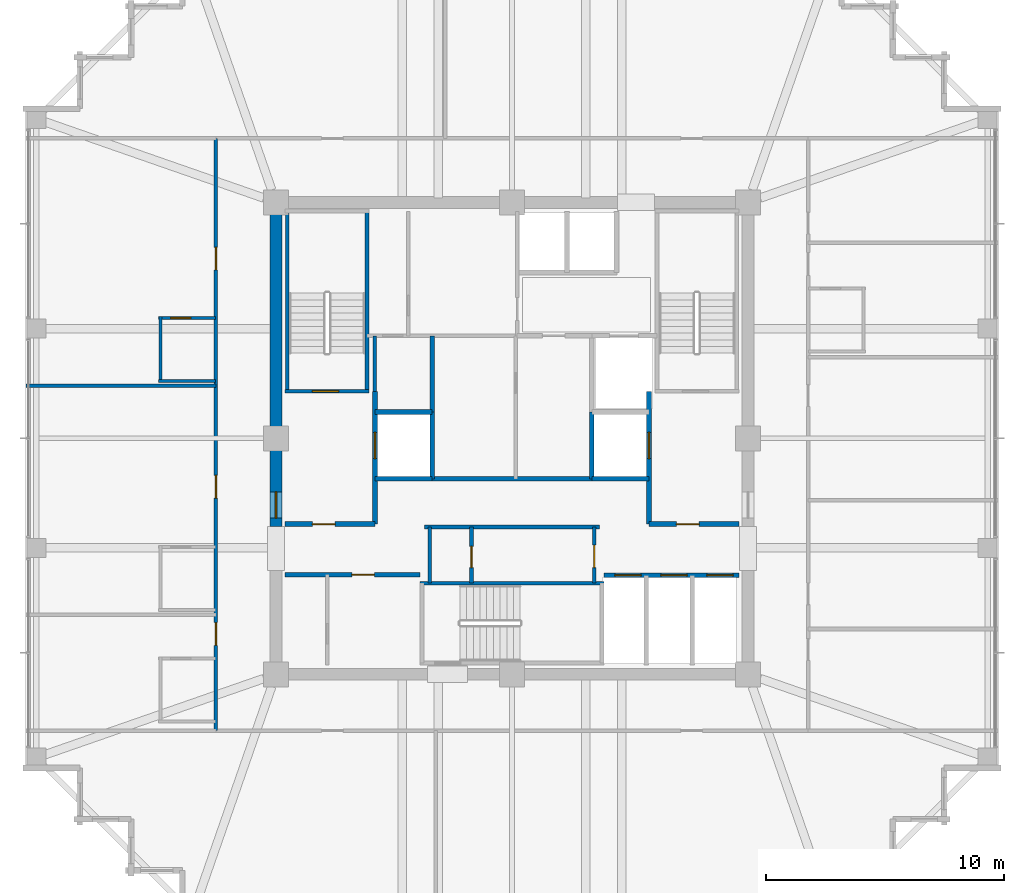
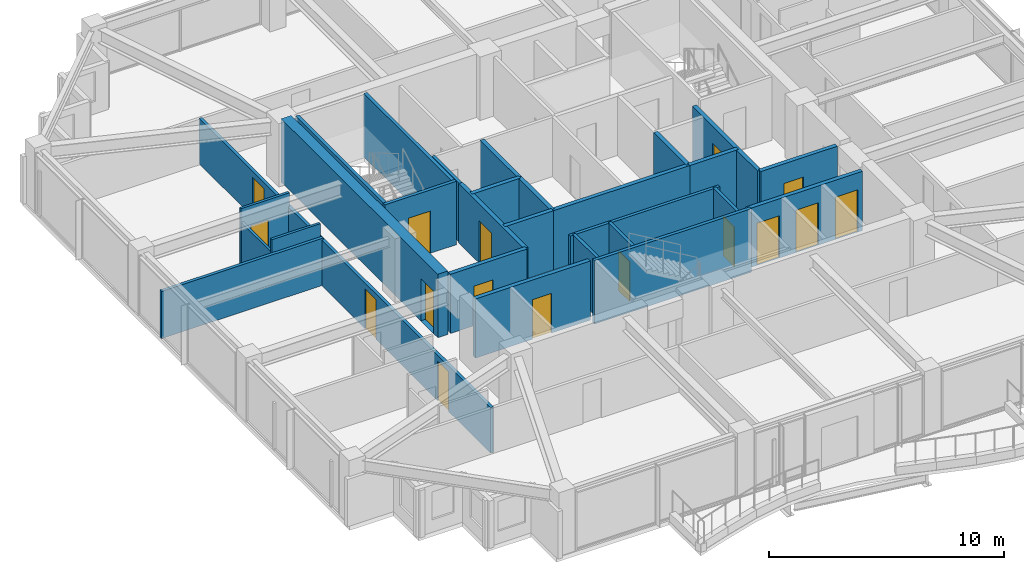
# One storey, part 31 of 36: 28 walls, 16 doors, 16 openings.
"""IFC4 building model written with IfcOpenShell, lengths in metres."""

import ifcopenshell
import ifcopenshell.guid

model = None  # the IFC model being written
_history = None  # IfcOwnerHistory: only IFC2X3 demands one
_inside = {}  # id of a spatial element -> (the spatial element, [elements in it])
_under = {}  # id of a project, library or spatial element -> (it, [spatial elements below it])
_declared = {}  # id of a project -> (the project, [libraries it declares])
_typed = {}  # id of a type object -> (the type object, [elements of that type])
_made_of = {}  # id of a material, layer set ... -> (it, [elements and type objects made of it])


def new_model(schema):
    """Start an empty IFC model of exactly this schema.

    Asked for "IFC4X3", IfcOpenShell would pick the latest addendum, in which some entities
    have other attributes; the version numbers below select the first issue.
    IFC2X3 requires an IfcOwnerHistory on every rooted entity: one is made here for all.
    """
    global model, _history
    if schema == "IFC4X3":
        model = ifcopenshell.file(schema_version=(4, 3, 0, 0))
    else:
        model = ifcopenshell.file(schema=schema)
    _inside.clear()
    _under.clear()
    _declared.clear()
    _typed.clear()
    _made_of.clear()
    _history = None
    if model.schema == "IFC2X3":
        org = make("IfcOrganization", Name="unknown")
        user = make(
            "IfcPersonAndOrganization",
            ThePerson=make("IfcPerson", FamilyName="unknown"),
            TheOrganization=org,
        )
        app = make(
            "IfcApplication",
            ApplicationDeveloper=org,
            Version="unknown",
            ApplicationFullName="unknown",
            ApplicationIdentifier="unknown",
        )
        _history = make(
            "IfcOwnerHistory",
            OwningUser=user,
            OwningApplication=app,
            ChangeAction="ADDED",
            CreationDate=0,
        )
    return model


def make(cls, **values):
    """One entity of the class cls with the attributes given. An attribute that is None is left unset."""
    return model.create_entity(
        cls, **{name: value for name, value in values.items() if value is not None}
    )


def rooted(cls, **values):
    """An entity with a GlobalId (a new one), such as an element, a storey or a relation."""
    return make(cls, GlobalId=ifcopenshell.guid.new(), OwnerHistory=_history, **values)


def si_unit(unit_type, name, prefix=None):
    """IfcSIUnit, for example si_unit("LENGTHUNIT", "METRE", prefix="MILLI")."""
    return make("IfcSIUnit", UnitType=unit_type, Prefix=prefix, Name=name)


def assignment(units):
    """IfcUnitAssignment: the units of a project."""
    return None if units is None else make("IfcUnitAssignment", Units=units)


def point(xyz):
    """IfcCartesianPoint."""
    return None if xyz is None else make("IfcCartesianPoint", Coordinates=xyz)


def direction(xyz):
    """IfcDirection."""
    return None if xyz is None else make("IfcDirection", DirectionRatios=xyz)


def frame(location, z_axis=None, x_axis=None):
    """IfcAxis2Placement3D, a coordinate frame: its origin and axes. An axis left out is left unset."""
    return make(
        "IfcAxis2Placement3D",
        Location=point(location),
        Axis=direction(z_axis),
        RefDirection=direction(x_axis),
    )


def frame_2d(location, x_axis=None):
    """IfcAxis2Placement2D, a coordinate frame in the plane: its origin and x axis."""
    return make(
        "IfcAxis2Placement2D", Location=point(location), RefDirection=direction(x_axis)
    )


def origin():
    """The frame at (0, 0, 0) with its axes left unset."""
    return frame((0.0, 0.0, 0.0))


def place(relative_to, where):
    """IfcLocalPlacement: puts the frame where relative to a parent placement (None: the world)."""
    return make(
        "IfcLocalPlacement", PlacementRelTo=relative_to, RelativePlacement=where
    )


def context(
    kind, dimensions, precision=None, world=None, true_north=None, identifier=None
):
    """IfcGeometricRepresentationContext, for example the 3D "Model" context."""
    return make(
        "IfcGeometricRepresentationContext",
        ContextIdentifier=identifier,
        ContextType=kind,
        CoordinateSpaceDimension=dimensions,
        Precision=precision,
        WorldCoordinateSystem=world,
        TrueNorth=true_north,
    )


def subcontext(parent, identifier, kind, view, scale=None):
    """IfcGeometricRepresentationSubContext, for example "Body" below "Model"."""
    return make(
        "IfcGeometricRepresentationSubContext",
        ContextIdentifier=identifier,
        ContextType=kind,
        ParentContext=parent,
        TargetScale=scale,
        TargetView=view,
    )


def project(units=None, contexts=None):
    """IfcProject with its units and contexts."""
    return rooted(
        "IfcProject",
        Name="project",
        RepresentationContexts=contexts,
        UnitsInContext=assignment(units),
    )


def spatial(cls, under=None, at=None, **own):
    """A site, building, storey or space (cls), placed at a placement, below another one or the project."""
    s = rooted(cls, ObjectPlacement=at, **own)
    if under is not None:
        _under.setdefault(under.id(), (under, []))[1].append(s)
    return s


def profile(cls, at=None, kind="AREA", **sizes):
    """A parametric profile (cls). Its sizes go by their IFC names, for example OverallWidth=200.0."""
    return make(cls, ProfileType=kind, Position=at, **sizes)


def rectangle(**sizes):
    """IfcRectangleProfileDef."""
    return profile("IfcRectangleProfileDef", **sizes)


def extrude(swept, where, along, depth):
    """IfcExtrudedAreaSolid: the profile swept, set in the frame where, extruded along a direction by depth."""
    return make(
        "IfcExtrudedAreaSolid",
        SweptArea=swept,
        Position=where,
        ExtrudedDirection=direction(along),
        Depth=depth,
    )


def shape(context_of_items, identifier, shape_type, items):
    """IfcShapeRepresentation: the items that make up one representation, for example the "Body"."""
    return make(
        "IfcShapeRepresentation",
        ContextOfItems=context_of_items,
        RepresentationIdentifier=identifier,
        RepresentationType=shape_type,
        Items=items,
    )


def material(Name=None, Category=None):
    """IfcMaterial."""
    return make("IfcMaterial", Name=Name, Category=Category)


def layer(
    of_material, thickness, ventilated=None, Name=None, Category=None, Priority=None
):
    """IfcMaterialLayer: one layer of a wall or slab, of a material (None: an air gap)."""
    return make(
        "IfcMaterialLayer",
        Material=of_material,
        LayerThickness=thickness,
        IsVentilated=ventilated,
        Name=Name,
        Category=Category,
        Priority=Priority,
    )


def layer_set(layers, Name=None):
    """IfcMaterialLayerSet."""
    return make("IfcMaterialLayerSet", MaterialLayers=layers, LayerSetName=Name)


def made_of(thing, what):
    """Note that an element or type object is made of a material, layer set ...; save() writes the relation."""
    if what is not None:
        _made_of.setdefault(what.id(), (what, []))[1].append(thing)
    return thing


def type_object(cls, material=None, **own):
    """A type object (cls), such as IfcWallType, which elements share."""
    return made_of(rooted(cls, **own), material)


def element(
    cls,
    number,
    at=None,
    inside=None,
    cuts=None,
    type_object=None,
    material=None,
    context=None,
    identifier="Body",
    shape_type=None,
    held_by="IfcProductDefinitionShape",
    body=None,
    shapes=None,
    **own,
):
    """One element of the class cls, such as IfcWall. Its Tag is "e" and its number.

    at: its placement. inside: the storey or other place that contains it. cuts: it is an
    opening in that element (IfcRelVoidsElement). A single representation is given by context,
    identifier, shape_type and body (its items); several are given by shapes. held_by: the class
    of the entity that holds the representations. save() writes the other relations.
    """
    e = rooted(cls, Tag="e%d" % number, ObjectPlacement=at, **own)
    if body is not None:
        shapes = [shape(context, identifier, shape_type, body)]
    if shapes is not None:
        e.Representation = make(held_by, Representations=shapes)
    if inside is not None:
        _inside.setdefault(inside.id(), (inside, []))[1].append(e)
    if cuts is not None:
        rooted(
            "IfcRelVoidsElement", RelatingBuildingElement=cuts, RelatedOpeningElement=e
        )
    if type_object is not None:
        _typed.setdefault(type_object.id(), (type_object, []))[1].append(e)
    return made_of(e, material)


def fill(opening, filler):
    """IfcRelFillsElement: the door or window that sits in an opening."""
    return rooted(
        "IfcRelFillsElement",
        RelatingOpeningElement=opening,
        RelatedBuildingElement=filler,
    )


def aggregate(whole, parts):
    """IfcRelAggregates: a whole, such as a stair, and the parts it consists of."""
    return rooted("IfcRelAggregates", RelatingObject=whole, RelatedObjects=parts)


def save(model, path):
    """Write the relations noted so far, then the file.

    IfcRelAggregates (storeys below a building ...), IfcRelContainedInSpatialStructure (elements
    in a storey), IfcRelDefinesByType, IfcRelAssociatesMaterial and IfcRelDeclares: one each for
    every whole, place, type object, material and project.
    """
    for whole, parts in _under.values():
        aggregate(whole, parts)
    for where, things in _inside.values():
        rooted(
            "IfcRelContainedInSpatialStructure",
            RelatedElements=things,
            RelatingStructure=where,
        )
    for kind, things in _typed.values():
        rooted("IfcRelDefinesByType", RelatedObjects=things, RelatingType=kind)
    for what, things in _made_of.values():
        rooted("IfcRelAssociatesMaterial", RelatedObjects=things, RelatingMaterial=what)
    for by, libraries in _declared.values():
        rooted("IfcRelDeclares", RelatingContext=by, RelatedDefinitions=libraries)
    model.write(path)


model = new_model("IFC4")

# Units and contexts
model_context = context("Model", 3, precision=1e-05, world=origin(), true_north=direction((0.0, 1.0)))
body_context = subcontext(model_context, "Body", "Model", "MODEL_VIEW")
ifc_project = project(units=[si_unit("LENGTHUNIT", "METRE"), si_unit("AREAUNIT", "SQUARE_METRE"), si_unit("VOLUMEUNIT", "CUBIC_METRE"), si_unit("PLANEANGLEUNIT", "RADIAN"), si_unit("MASSUNIT", "GRAM", prefix="KILO")], contexts=[model_context])

# Site, building, storey
site_placement = place(None, origin())
site = spatial("IfcSite", under=ifc_project, at=site_placement, CompositionType="ELEMENT")
building_placement = place(site_placement, origin())
building = spatial("IfcBuilding", under=site, at=building_placement, Name="Kolvaren Belvedere", CompositionType="ELEMENT")
storey_placement = place(building_placement, frame((0.0, 0.0, 196.5)))
storey = spatial("IfcBuildingStorey", under=building, at=storey_placement, Name="L57", CompositionType="ELEMENT", Elevation=196.5)

# Wall, opening, door
ifc_material_1 = material(Name="Concrete C50/60", Category="concrete")
ifc_layer_1 = layer(ifc_material_1, 0.5)
ifc_layer_set_1 = layer_set([ifc_layer_1], Name="Concrete C50/60")
wall_type_1 = type_object("IfcWallType", Name="CW-CORE-500", PredefinedType="SHEAR", material=ifc_layer_set_1)
wall_1_placement = place(storey_placement, frame((-9.89990234375, -3.699951171875, 0.0), z_axis=(0.0, 0.0, 1.0), x_axis=(0.0, 1.0, 0.0)))
wall_1 = element("IfcWall", 1, at=wall_1_placement, inside=storey, type_object=wall_type_1, Name="L57 West Core Shear Wall 2", PredefinedType="SHEAR", context=body_context, shape_type="SweptSolid", body=[
    extrude(rectangle(XDim=13.349853515625, YDim=0.5, at=frame_2d((6.6748046875, 0.0))), origin(), (0.0, 0.0, 1.0), 3.300048828125),
])
opening_1_placement = place(wall_1_placement, frame((0.35009765625, 0.0, 0.0)))
opening_1 = element("IfcOpeningElement", 2, at=opening_1_placement, cuts=wall_1, Name="Opening D-FD90", PredefinedType="OPENING", context=body_context, shape_type="SweptSolid", body=[
    extrude(rectangle(XDim=1.10009765625, YDim=2.199951171875, at=frame_2d((0.550048828125, 1.10009765625))), frame((0.0, 0.260009765625, 0.0), z_axis=(0.0, -1.0, 0.0), x_axis=(1.0, 0.0, 0.0)), (0.0, 0.0, 1.0), 0.52001953125),
])
ifc_material_2 = material(Name="Painted hollow stainless steel", Category="steel")
door_type_1 = type_object("IfcDoorType", Name="DR-FD90-1100", OperationType="NOTDEFINED", PredefinedType="DOOR", material=ifc_material_2)
door_1_placement = place(opening_1_placement, origin())
door_1 = element("IfcDoor", 3, at=door_1_placement, inside=storey, type_object=door_type_1, Name="L57 West Firefighting Lobby Fire Door", OperationType="SINGLE_SWING_LEFT", OverallHeight=2.199951171875, OverallWidth=1.10009765625, PredefinedType="DOOR", context=body_context, shape_type="SweptSolid", body=[
    extrude(rectangle(XDim=1.10009765625, YDim=2.199951171875, at=frame_2d((0.550048828125, 1.10009765625))), frame((0.0, 0.02490234375, 0.0), z_axis=(0.0, -1.0, 0.0), x_axis=(1.0, 0.0, 0.0)), (0.0, 0.0, 1.0), 0.050048828125),
])
fill(opening_1, door_1)

ifc_material_3 = material(Name="Concrete C50/60", Category="concrete")
ifc_layer_2 = layer(ifc_material_3, 0.159912109375)
ifc_layer_set_2 = layer_set([ifc_layer_2], Name="Concrete C50/60")
wall_type_2 = type_object("IfcWallType", Name="CW-STAIR-160", PredefinedType="SHEAR", material=ifc_layer_set_2)
wall_2_placement = place(storey_placement, frame((-9.52001953125, 1.969970703125, 0.0), z_axis=(0.0, 0.0, 1.0), x_axis=(1.0, 0.0, 0.0)))
wall_2 = element("IfcWall", 4, at=wall_2_placement, inside=storey, type_object=wall_type_2, Name="L57 Stair ST-1 South Shear Wall", PredefinedType="SHEAR", context=body_context, shape_type="SweptSolid", body=[
    extrude(rectangle(XDim=3.52001953125, YDim=0.159912109375, at=frame_2d((1.760009765625, 0.0))), origin(), (0.0, 0.0, 1.0), 3.300048828125),
])
opening_2_placement = place(wall_2_placement, frame((1.14990234375, 0.0, 0.0)))
opening_2 = element("IfcOpeningElement", 5, at=opening_2_placement, cuts=wall_2, Name="Opening D-FD90", PredefinedType="OPENING", context=body_context, shape_type="SweptSolid", body=[
    extrude(rectangle(XDim=1.10009765625, YDim=2.199951171875, at=frame_2d((0.550048828125, 1.10009765625))), frame((0.0, 0.08984375, 0.0), z_axis=(0.0, -1.0, 0.0), x_axis=(1.0, 0.0, 0.0)), (0.0, 0.0, 1.0), 0.179931640625),
])
door_2_placement = place(opening_2_placement, origin())
door_2 = element("IfcDoor", 6, at=door_2_placement, inside=storey, type_object=door_type_1, Name="L57 Stair ST-1 Fire Door", OperationType="SINGLE_SWING_LEFT", OverallHeight=2.199951171875, OverallWidth=1.10009765625, PredefinedType="DOOR", context=body_context, shape_type="SweptSolid", body=[
    extrude(rectangle(XDim=1.10009765625, YDim=2.199951171875, at=frame_2d((0.550048828125, 1.10009765625))), frame((0.0, 0.02490234375, 0.0), z_axis=(0.0, -1.0, 0.0), x_axis=(1.0, 0.0, 0.0)), (0.0, 0.0, 1.0), 0.050048828125),
])
fill(opening_2, door_2)

# Walls
for number, where, z_axis, x_axis, name in (
    (7, (-9.429931640625, 1.969970703125, 0.0), (0.0, 0.0, 1.0), (0.0, 1.0, 0.0), "L57 Stair ST-1 West Shear Wall"),
    (8, (-6.080078125, 1.969970703125, 0.0), (0.0, 0.0, 1.0), (0.0, 1.0, 0.0), "L57 Stair ST-1 East Shear Wall"),
):
    element("IfcWall", number, at=place(storey_placement, frame(where, z_axis=z_axis, x_axis=x_axis)), inside=storey, type_object=wall_type_2, Name=name, PredefinedType="SHEAR", context=body_context, shape_type="SweptSolid", body=[
        extrude(rectangle(XDim=7.56005859375, YDim=0.159912109375, at=frame_2d((3.780029296875, 0.0))), origin(), (0.0, 0.0, 1.0), 3.300048828125),
    ])
wall_3_placement = place(storey_placement, frame((-3.860107421875, -6.080078125, 0.0), z_axis=(0.0, 0.0, 1.0), x_axis=(1.0, 0.0, 0.0)))
element("IfcWall", 9, at=wall_3_placement, inside=storey, type_object=wall_type_2, Name="L57 Stair ST-3 North Shear Wall", PredefinedType="SHEAR", context=body_context, shape_type="SweptSolid", body=[
    extrude(rectangle(XDim=7.72021484375, YDim=0.159912109375, at=frame_2d((3.860107421875, 0.0))), origin(), (0.0, 0.0, 1.0), 3.300048828125),
])

# Wall, openings, doors
ifc_material_4 = material(Name="Gypsum fire-rated partition assembly", Category="gypsum")
ifc_layer_3 = layer(ifc_material_4, 0.14990234375)
ifc_layer_set_3 = layer_set([ifc_layer_3], Name="Gypsum fire-rated partition assembly")
wall_type_3 = type_object("IfcWallType", Name="WL-CORR-150", PredefinedType="PARTITIONING", material=ifc_layer_set_3)
wall_4_placement = place(storey_placement, frame((-12.419921875, -12.260009765625, 0.0), z_axis=(0.0, 0.0, 1.0), x_axis=(0.0, 1.0, 0.0)))
wall_4 = element("IfcWall", 10, at=wall_4_placement, inside=storey, type_object=wall_type_3, Name="L57 West Corridor Wall", PredefinedType="PARTITIONING", context=body_context, shape_type="SweptSolid", body=[
    extrude(rectangle(XDim=24.840087890625, YDim=0.14990234375, at=frame_2d((12.419921875, 0.0))), origin(), (0.0, 0.0, 1.0), 2.368896484375),
])
opening_3_placement = place(wall_4_placement, frame((3.572509765625, 0.0, 0.0)))
opening_3 = element("IfcOpeningElement", 11, at=opening_3_placement, cuts=wall_4, Name="Opening D-FD60", PredefinedType="OPENING", context=body_context, shape_type="SweptSolid", body=[
    extrude(rectangle(XDim=0.949951171875, YDim=2.06005859375, at=frame_2d((0.47509765625, 1.030029296875))), frame((0.0, 0.0849609375, 0.0), z_axis=(0.0, -1.0, 0.0), x_axis=(1.0, 0.0, 0.0)), (0.0, 0.0, 1.0), 0.169921875),
])
opening_4_placement = place(wall_4_placement, frame((9.7548828125, 0.0, 0.0)))
opening_4 = element("IfcOpeningElement", 12, at=opening_4_placement, cuts=wall_4, Name="Opening D-FD60", PredefinedType="OPENING", context=body_context, shape_type="SweptSolid", body=[
    extrude(rectangle(XDim=0.949951171875, YDim=2.06005859375, at=frame_2d((0.47509765625, 1.030029296875))), frame((0.0, 0.0849609375, 0.0), z_axis=(0.0, -1.0, 0.0), x_axis=(1.0, 0.0, 0.0)), (0.0, 0.0, 1.0), 0.169921875),
])
opening_5_placement = place(wall_4_placement, frame((19.320068359375, 0.0, 0.0)))
opening_5 = element("IfcOpeningElement", 13, at=opening_5_placement, cuts=wall_4, Name="Opening D-FD60", PredefinedType="OPENING", context=body_context, shape_type="SweptSolid", body=[
    extrude(rectangle(XDim=0.949951171875, YDim=2.06005859375, at=frame_2d((0.47509765625, 1.030029296875))), frame((0.0, 0.0849609375, 0.0), z_axis=(0.0, -1.0, 0.0), x_axis=(1.0, 0.0, 0.0)), (0.0, 0.0, 1.0), 0.169921875),
])
ifc_material_5 = material(Name="Acoustic white-oak fire door leaf", Category="timber")
door_type_2 = type_object("IfcDoorType", Name="DR-FD60-950", OperationType="NOTDEFINED", PredefinedType="DOOR", material=ifc_material_5)
door_3_placement = place(opening_3_placement, origin())
door_3 = element("IfcDoor", 14, at=door_3_placement, inside=storey, type_object=door_type_2, Name="L57 Botanical Hospitality Suite 5708 Entry Door", OperationType="SINGLE_SWING_LEFT", OverallHeight=2.06005859375, OverallWidth=0.949951171875, PredefinedType="DOOR", context=body_context, shape_type="SweptSolid", body=[
    extrude(rectangle(XDim=0.949951171875, YDim=2.06005859375, at=frame_2d((0.47509765625, 1.030029296875))), frame((0.0, 0.02490234375, 0.0), z_axis=(0.0, -1.0, 0.0), x_axis=(1.0, 0.0, 0.0)), (0.0, 0.0, 1.0), 0.050048828125),
])
fill(opening_3, door_3)
door_4_placement = place(opening_4_placement, origin())
door_4 = element("IfcDoor", 15, at=door_4_placement, inside=storey, type_object=door_type_2, Name="L57 Panoramic Corner Hospitality Suite 5709 Entry Door", OperationType="SINGLE_SWING_LEFT", OverallHeight=2.06005859375, OverallWidth=0.949951171875, PredefinedType="DOOR", context=body_context, shape_type="SweptSolid", body=[
    extrude(rectangle(XDim=0.949951171875, YDim=2.06005859375, at=frame_2d((0.47509765625, 1.030029296875))), frame((0.0, 0.02490234375, 0.0), z_axis=(0.0, -1.0, 0.0), x_axis=(1.0, 0.0, 0.0)), (0.0, 0.0, 1.0), 0.050048828125),
])
fill(opening_4, door_4)
door_5_placement = place(opening_5_placement, origin())
door_5 = element("IfcDoor", 16, at=door_5_placement, inside=storey, type_object=door_type_2, Name="L57 Panoramic Corner Hospitality Suite 5710 Entry Door", OperationType="SINGLE_SWING_LEFT", OverallHeight=2.06005859375, OverallWidth=0.949951171875, PredefinedType="DOOR", context=body_context, shape_type="SweptSolid", body=[
    extrude(rectangle(XDim=0.949951171875, YDim=2.06005859375, at=frame_2d((0.47509765625, 1.030029296875))), frame((0.0, 0.02490234375, 0.0), z_axis=(0.0, -1.0, 0.0), x_axis=(1.0, 0.0, 0.0)), (0.0, 0.0, 1.0), 0.050048828125),
])
fill(opening_5, door_5)

# Wall
ifc_material_6 = material(Name="Gypsum acoustic partition assembly", Category="gypsum")
ifc_layer_4 = layer(ifc_material_6, 0.14990234375)
ifc_layer_set_4 = layer_set([ifc_layer_4], Name="Gypsum acoustic partition assembly")
wall_type_4 = type_object("IfcWallType", Name="WL-PART-150", PredefinedType="PARTITIONING", material=ifc_layer_set_4)
wall_5_placement = place(storey_placement, frame((-3.679931640625, -3.719970703125, 0.0), z_axis=(0.0, 0.0, 1.0), x_axis=(1.0, 0.0, 0.0)))
element("IfcWall", 17, at=wall_5_placement, inside=storey, type_object=wall_type_4, Name="L57 South Core Service North Wall", PredefinedType="PARTITIONING", context=body_context, shape_type="SweptSolid", body=[
    extrude(rectangle(XDim=7.35986328125, YDim=0.14990234375, at=frame_2d((3.679931640625, 0.0))), origin(), (0.0, 0.0, 1.0), 3.080078125),
])

# Wall, opening, door
wall_6_placement = place(storey_placement, frame((3.449951171875, -6.080078125, 0.0), z_axis=(0.0, 0.0, 1.0), x_axis=(0.0, 1.0, 0.0)))
wall_6 = element("IfcWall", 18, at=wall_6_placement, inside=storey, type_object=wall_type_4, Name="L57 South Core Service East Wall", PredefinedType="PARTITIONING", context=body_context, shape_type="SweptSolid", body=[
    extrude(rectangle(XDim=2.360107421875, YDim=0.14990234375, at=frame_2d((1.18017578125, 0.0))), origin(), (0.0, 0.0, 1.0), 3.080078125),
])
opening_6_placement = place(wall_6_placement, frame((0.64990234375, 0.0, 0.0)))
opening_6 = element("IfcOpeningElement", 19, at=opening_6_placement, cuts=wall_6, Name="Opening D-FD60", PredefinedType="OPENING", context=body_context, shape_type="SweptSolid", body=[
    extrude(rectangle(XDim=0.949951171875, YDim=2.06005859375, at=frame_2d((0.47509765625, 1.030029296875))), frame((0.0, 0.0849609375, 0.0), z_axis=(0.0, -1.0, 0.0), x_axis=(1.0, 0.0, 0.0)), (0.0, 0.0, 1.0), 0.169921875),
])
door_6_placement = place(opening_6_placement, origin())
door_6 = element("IfcDoor", 20, at=door_6_placement, inside=storey, type_object=door_type_2, Name="L57 Core Service Room Door", OperationType="SINGLE_SWING_LEFT", OverallHeight=2.06005859375, OverallWidth=0.949951171875, PredefinedType="DOOR", context=body_context, shape_type="SweptSolid", body=[
    extrude(rectangle(XDim=0.949951171875, YDim=2.06005859375, at=frame_2d((0.47509765625, 1.030029296875))), frame((0.0, 0.02490234375, 0.0), z_axis=(0.0, -1.0, 0.0), x_axis=(1.0, 0.0, 0.0)), (0.0, 0.0, 1.0), 0.050048828125),
])
fill(opening_6, door_6)

# Wall
wall_7_placement = place(storey_placement, frame((-3.449951171875, -6.080078125, 0.0), z_axis=(0.0, 0.0, 1.0), x_axis=(0.0, 1.0, 0.0)))
element("IfcWall", 21, at=wall_7_placement, inside=storey, type_object=wall_type_4, Name="L57 South Core Service West Wall", PredefinedType="PARTITIONING", context=body_context, shape_type="SweptSolid", body=[
    extrude(rectangle(XDim=2.360107421875, YDim=0.14990234375, at=frame_2d((1.18017578125, 0.0))), origin(), (0.0, 0.0, 1.0), 3.080078125),
])

# Wall, opening, door
wall_8_placement = place(storey_placement, frame((-1.699951171875, -6.080078125, 0.0), z_axis=(0.0, 0.0, 1.0), x_axis=(0.0, 1.0, 0.0)))
wall_8 = element("IfcWall", 22, at=wall_8_placement, inside=storey, type_object=wall_type_4, Name="L57 Core Service Divider", PredefinedType="PARTITIONING", context=body_context, shape_type="SweptSolid", body=[
    extrude(rectangle(XDim=2.360107421875, YDim=0.14990234375, at=frame_2d((1.18017578125, 0.0))), origin(), (0.0, 0.0, 1.0), 3.080078125),
])
opening_7_placement = place(wall_8_placement, frame((0.64990234375, 0.0, 0.0)))
opening_7 = element("IfcOpeningElement", 23, at=opening_7_placement, cuts=wall_8, Name="Opening D-INT90", PredefinedType="OPENING", context=body_context, shape_type="SweptSolid", body=[
    extrude(rectangle(XDim=0.89990234375, YDim=2.06005859375, at=frame_2d((0.449951171875, 1.030029296875))), frame((0.0, 0.0849609375, 0.0), z_axis=(0.0, -1.0, 0.0), x_axis=(1.0, 0.0, 0.0)), (0.0, 0.0, 1.0), 0.169921875),
])
ifc_material_7 = material(Name="Stained Pacific white oak", Category="timber")
door_type_3 = type_object("IfcDoorType", Name="DR-INT-900", OperationType="NOTDEFINED", PredefinedType="DOOR", material=ifc_material_7)
door_7_placement = place(opening_7_placement, origin())
door_7 = element("IfcDoor", 24, at=door_7_placement, inside=storey, type_object=door_type_3, Name="L57 Telecom Inner Door", OperationType="SINGLE_SWING_RIGHT", OverallHeight=2.06005859375, OverallWidth=0.89990234375, PredefinedType="DOOR", context=body_context, shape_type="SweptSolid", body=[
    extrude(rectangle(XDim=0.89990234375, YDim=2.06005859375, at=frame_2d((0.449951171875, 1.030029296875))), frame((0.0, 0.02490234375, 0.0), z_axis=(0.0, -1.0, 0.0), x_axis=(1.0, 0.0, 0.0)), (0.0, 0.0, 1.0), 0.050048828125),
])
fill(opening_7, door_7)

# Walls
wall_9_placement = place(storey_placement, frame((-5.75, 1.969970703125, 0.0), z_axis=(0.0, 0.0, 1.0), x_axis=(0.0, 1.0, 0.0)))
element("IfcWall", 25, at=wall_9_placement, inside=storey, type_object=wall_type_4, Name="L57 NW Service Room West Wall", PredefinedType="PARTITIONING", context=body_context, shape_type="SweptSolid", body=[
    extrude(rectangle(XDim=2.330078125, YDim=0.14990234375, at=frame_2d((1.1650390625, 0.0))), origin(), (0.0, 0.0, 1.0), 3.080078125),
])
wall_10_placement = place(storey_placement, frame((-20.3798828125, 2.199951171875, 0.0), z_axis=(0.0, 0.0, 1.0), x_axis=(1.0, 0.0, 0.0)))
element("IfcWall", 26, at=wall_10_placement, inside=storey, type_object=wall_type_4, Name="L57 West Suite Demising Wall 2", PredefinedType="PARTITIONING", context=body_context, shape_type="SweptSolid", body=[
    extrude(rectangle(XDim=7.9599609375, YDim=0.14990234375, at=frame_2d((3.97998046875, 0.0))), origin(), (0.0, 0.0, 1.0), 2.452880859375),
])

# Wall, opening, door
ifc_material_8 = material(Name="Concrete C50/60", Category="concrete")
ifc_layer_5 = layer(ifc_material_8, 0.199951171875)
ifc_layer_set_5 = layer_set([ifc_layer_5], Name="Concrete C50/60")
wall_type_5 = type_object("IfcWallType", Name="WL-SHAFT-200", PredefinedType="SOLIDWALL", material=ifc_layer_set_5)
wall_11_placement = place(storey_placement, frame((-9.52001953125, -3.60009765625, 0.0), z_axis=(0.0, 0.0, 1.0), x_axis=(1.0, 0.0, 0.0)))
wall_11 = element("IfcWall", 27, at=wall_11_placement, inside=storey, type_object=wall_type_5, Name="L57 West FSAE Lobby South Wall", PredefinedType="SOLIDWALL", context=body_context, shape_type="SweptSolid", body=[
    extrude(rectangle(XDim=3.77001953125, YDim=0.199951171875, at=frame_2d((1.885009765625, 0.0))), origin(), (0.0, 0.0, 1.0), 3.080078125),
])
opening_8_placement = place(wall_11_placement, frame((1.14990234375, 0.0, 0.0)))
opening_8 = element("IfcOpeningElement", 28, at=opening_8_placement, cuts=wall_11, Name="Opening D-FD60", PredefinedType="OPENING", context=body_context, shape_type="SweptSolid", body=[
    extrude(rectangle(XDim=0.949951171875, YDim=2.06005859375, at=frame_2d((0.47509765625, 1.030029296875))), frame((0.0, 0.10986328125, 0.0), z_axis=(0.0, -1.0, 0.0), x_axis=(1.0, 0.0, 0.0)), (0.0, 0.0, 1.0), 0.219970703125),
])
door_8_placement = place(opening_8_placement, origin())
door_8 = element("IfcDoor", 29, at=door_8_placement, inside=storey, type_object=door_type_2, Name="L57 SW Lobby Fire Door", OperationType="SINGLE_SWING_LEFT", OverallHeight=2.06005859375, OverallWidth=0.949951171875, PredefinedType="DOOR", context=body_context, shape_type="SweptSolid", body=[
    extrude(rectangle(XDim=0.949951171875, YDim=2.06005859375, at=frame_2d((0.47509765625, 1.030029296875))), frame((0.0, 0.02490234375, 0.0), z_axis=(0.0, -1.0, 0.0), x_axis=(1.0, 0.0, 0.0)), (0.0, 0.0, 1.0), 0.050048828125),
])
fill(opening_8, door_8)

wall_12_placement = place(storey_placement, frame((-5.75, -3.60009765625, 0.0), z_axis=(0.0, 0.0, 1.0), x_axis=(0.0, 1.0, 0.0)))
wall_12 = element("IfcWall", 30, at=wall_12_placement, inside=storey, type_object=wall_type_5, Name="L57 FSAE FS1 Landing Wall", PredefinedType="SOLIDWALL", context=body_context, shape_type="SweptSolid", body=[
    extrude(rectangle(XDim=5.570068359375, YDim=0.199951171875, at=frame_2d((2.78515625, 0.0))), origin(), (0.0, 0.0, 1.0), 3.080078125),
])
opening_9_placement = place(wall_12_placement, frame((2.75, 0.0, 0.0)))
opening_9 = element("IfcOpeningElement", 31, at=opening_9_placement, cuts=wall_12, Name="Opening LD-11", PredefinedType="OPENING", context=body_context, shape_type="SweptSolid", body=[
    extrude(rectangle(XDim=1.10009765625, YDim=2.199951171875, at=frame_2d((0.550048828125, 1.10009765625))), frame((0.0, 0.10986328125, 0.0), z_axis=(0.0, -1.0, 0.0), x_axis=(1.0, 0.0, 0.0)), (0.0, 0.0, 1.0), 0.219970703125),
])
ifc_material_9 = material(Name="Brushed stainless steel", Category="steel")
door_type_4 = type_object("IfcDoorType", Name="DR-LIFT-1100", OperationType="DOUBLE_DOOR_SLIDING", PredefinedType="DOOR", material=ifc_material_9)
door_9_placement = place(opening_9_placement, origin())
door_9 = element("IfcDoor", 32, at=door_9_placement, inside=storey, type_object=door_type_4, Name="L57 Firefighting Lift FS1 Landing Door", OperationType="DOUBLE_DOOR_SLIDING", OverallHeight=2.199951171875, OverallWidth=1.10009765625, PredefinedType="DOOR", context=body_context, shape_type="SweptSolid", body=[
    extrude(rectangle(XDim=1.10009765625, YDim=2.199951171875, at=frame_2d((0.550048828125, 1.10009765625))), frame((0.0, 0.02490234375, 0.0), z_axis=(0.0, -1.0, 0.0), x_axis=(1.0, 0.0, 0.0)), (0.0, 0.0, 1.0), 0.050048828125),
])
fill(opening_9, door_9)

# Walls
wall_13_placement = place(storey_placement, frame((-3.35009765625, -1.699951171875, 0.0), z_axis=(0.0, 0.0, 1.0), x_axis=(0.0, 1.0, 0.0)))
element("IfcWall", 33, at=wall_13_placement, inside=storey, type_object=wall_type_5, Name="L57 FSAE FS1 Back Wall", PredefinedType="SOLIDWALL", context=body_context, shape_type="SweptSolid", body=[
    extrude(rectangle(XDim=2.800048828125, YDim=0.199951171875, at=frame_2d((1.39990234375, 0.0))), origin(), (0.0, 0.0, 1.0), 3.080078125),
])
for number, where, z_axis, x_axis, name in (
    (34, (-5.75, -1.699951171875, 0.0), (0.0, 0.0, 1.0), (1.0, 0.0, 0.0), "L57 FSAE FS1 South Wall"),
    (35, (-5.75, 1.10009765625, 0.0), (0.0, 0.0, 1.0), (1.0, 0.0, 0.0), "L57 FSAE FS1 North Wall"),
):
    element("IfcWall", number, at=place(storey_placement, frame(where, z_axis=z_axis, x_axis=x_axis)), inside=storey, type_object=wall_type_5, Name=name, PredefinedType="SOLIDWALL", context=body_context, shape_type="SweptSolid", body=[
        extrude(rectangle(XDim=2.39990234375, YDim=0.199951171875, at=frame_2d((1.199951171875, 0.0))), origin(), (0.0, 0.0, 1.0), 3.080078125),
    ])

# Wall, opening, door
wall_14_placement = place(storey_placement, frame((5.75, -3.60009765625, 0.0), z_axis=(0.0, 0.0, 1.0), x_axis=(1.0, 0.0, 0.0)))
wall_14 = element("IfcWall", 36, at=wall_14_placement, inside=storey, type_object=wall_type_5, Name="L57 East FSAE Lobby South Wall", PredefinedType="SOLIDWALL", context=body_context, shape_type="SweptSolid", body=[
    extrude(rectangle(XDim=3.77001953125, YDim=0.199951171875, at=frame_2d((1.885009765625, 0.0))), origin(), (0.0, 0.0, 1.0), 3.080078125),
])
opening_10_placement = place(wall_14_placement, frame((1.14990234375, 0.0, 0.0)))
opening_10 = element("IfcOpeningElement", 37, at=opening_10_placement, cuts=wall_14, Name="Opening D-FD60", PredefinedType="OPENING", context=body_context, shape_type="SweptSolid", body=[
    extrude(rectangle(XDim=0.949951171875, YDim=2.06005859375, at=frame_2d((0.47509765625, 1.030029296875))), frame((0.0, 0.10986328125, 0.0), z_axis=(0.0, -1.0, 0.0), x_axis=(1.0, 0.0, 0.0)), (0.0, 0.0, 1.0), 0.219970703125),
])
door_10_placement = place(opening_10_placement, origin())
door_10 = element("IfcDoor", 38, at=door_10_placement, inside=storey, type_object=door_type_2, Name="L57 SE Lift Lobby Fire Door", OperationType="SINGLE_SWING_RIGHT", OverallHeight=2.06005859375, OverallWidth=0.949951171875, PredefinedType="DOOR", context=body_context, shape_type="SweptSolid", body=[
    extrude(rectangle(XDim=0.949951171875, YDim=2.06005859375, at=frame_2d((0.47509765625, 1.030029296875))), frame((0.0, 0.02490234375, 0.0), z_axis=(0.0, -1.0, 0.0), x_axis=(1.0, 0.0, 0.0)), (0.0, 0.0, 1.0), 0.050048828125),
])
fill(opening_10, door_10)

wall_15_placement = place(storey_placement, frame((5.75, -3.60009765625, 0.0), z_axis=(0.0, 0.0, 1.0), x_axis=(0.0, 1.0, 0.0)))
wall_15 = element("IfcWall", 39, at=wall_15_placement, inside=storey, type_object=wall_type_5, Name="L57 FSAE FS2 Landing Wall", PredefinedType="SOLIDWALL", context=body_context, shape_type="SweptSolid", body=[
    extrude(rectangle(XDim=5.570068359375, YDim=0.199951171875, at=frame_2d((2.78515625, 0.0))), origin(), (0.0, 0.0, 1.0), 3.080078125),
])
opening_11_placement = place(wall_15_placement, frame((2.75, 0.0, 0.0)))
opening_11 = element("IfcOpeningElement", 40, at=opening_11_placement, cuts=wall_15, Name="Opening LD-11", PredefinedType="OPENING", context=body_context, shape_type="SweptSolid", body=[
    extrude(rectangle(XDim=1.10009765625, YDim=2.199951171875, at=frame_2d((0.550048828125, 1.10009765625))), frame((0.0, 0.10986328125, 0.0), z_axis=(0.0, -1.0, 0.0), x_axis=(1.0, 0.0, 0.0)), (0.0, 0.0, 1.0), 0.219970703125),
])
door_11_placement = place(opening_11_placement, origin())
door_11 = element("IfcDoor", 41, at=door_11_placement, inside=storey, type_object=door_type_4, Name="L57 Firefighting Lift FS2 Landing Door", OperationType="DOUBLE_DOOR_SLIDING", OverallHeight=2.199951171875, OverallWidth=1.10009765625, PredefinedType="DOOR", context=body_context, shape_type="SweptSolid", body=[
    extrude(rectangle(XDim=1.10009765625, YDim=2.199951171875, at=frame_2d((0.550048828125, 1.10009765625))), frame((0.0, 0.02490234375, 0.0), z_axis=(0.0, -1.0, 0.0), x_axis=(1.0, 0.0, 0.0)), (0.0, 0.0, 1.0), 0.050048828125),
])
fill(opening_11, door_11)

# Walls
wall_16_placement = place(storey_placement, frame((3.35009765625, -1.699951171875, 0.0), z_axis=(0.0, 0.0, 1.0), x_axis=(0.0, 1.0, 0.0)))
element("IfcWall", 42, at=wall_16_placement, inside=storey, type_object=wall_type_5, Name="L57 FSAE FS2 Back Wall", PredefinedType="SOLIDWALL", context=body_context, shape_type="SweptSolid", body=[
    extrude(rectangle(XDim=2.800048828125, YDim=0.199951171875, at=frame_2d((1.39990234375, 0.0))), origin(), (0.0, 0.0, 1.0), 3.080078125),
])
wall_17_placement = place(storey_placement, frame((3.35009765625, -1.699951171875, 0.0), z_axis=(0.0, 0.0, 1.0), x_axis=(1.0, 0.0, 0.0)))
element("IfcWall", 43, at=wall_17_placement, inside=storey, type_object=wall_type_5, Name="L57 FSAE FS2 South Wall", PredefinedType="SOLIDWALL", context=body_context, shape_type="SweptSolid", body=[
    extrude(rectangle(XDim=2.39990234375, YDim=0.199951171875, at=frame_2d((1.199951171875, 0.0))), origin(), (0.0, 0.0, 1.0), 3.080078125),
])

# Wall, opening, door
wall_18_placement = place(storey_placement, frame((-9.52001953125, -5.719970703125, 0.0), z_axis=(0.0, 0.0, 1.0), x_axis=(1.0, 0.0, 0.0)))
wall_18 = element("IfcWall", 44, at=wall_18_placement, inside=storey, type_object=wall_type_5, Name="L57 Reclaimed Mid Room North Wall", PredefinedType="SOLIDWALL", context=body_context, shape_type="SweptSolid", body=[
    extrude(rectangle(XDim=5.659912109375, YDim=0.199951171875, at=frame_2d((2.830078125, 0.0))), origin(), (0.0, 0.0, 1.0), 3.080078125),
])
opening_12_placement = place(wall_18_placement, frame((2.800048828125, 0.0, 0.0)))
opening_12 = element("IfcOpeningElement", 45, at=opening_12_placement, cuts=wall_18, Name="Opening D-FD60", PredefinedType="OPENING", context=body_context, shape_type="SweptSolid", body=[
    extrude(rectangle(XDim=0.949951171875, YDim=2.06005859375, at=frame_2d((0.47509765625, 1.030029296875))), frame((0.0, 0.10986328125, 0.0), z_axis=(0.0, -1.0, 0.0), x_axis=(1.0, 0.0, 0.0)), (0.0, 0.0, 1.0), 0.219970703125),
])
door_12_placement = place(opening_12_placement, origin())
door_12 = element("IfcDoor", 46, at=door_12_placement, inside=storey, type_object=door_type_2, Name="L57 Reading Lounge Door", OperationType="SINGLE_SWING_LEFT", OverallHeight=2.06005859375, OverallWidth=0.949951171875, PredefinedType="DOOR", context=body_context, shape_type="SweptSolid", body=[
    extrude(rectangle(XDim=0.949951171875, YDim=2.06005859375, at=frame_2d((0.47509765625, 1.030029296875))), frame((0.0, 0.02490234375, 0.0), z_axis=(0.0, -1.0, 0.0), x_axis=(1.0, 0.0, 0.0)), (0.0, 0.0, 1.0), 0.050048828125),
])
fill(opening_12, door_12)

# Wall, openings, doors
wall_19_placement = place(storey_placement, frame((3.860107421875, -5.75, 0.0), z_axis=(0.0, 0.0, 1.0), x_axis=(1.0, 0.0, 0.0)))
wall_19 = element("IfcWall", 47, at=wall_19_placement, inside=storey, type_object=wall_type_5, Name="L57 High-Rise Lift Bank Front Wall", PredefinedType="SOLIDWALL", context=body_context, shape_type="SweptSolid", body=[
    extrude(rectangle(XDim=5.659912109375, YDim=0.199951171875, at=frame_2d((2.830078125, 0.0))), origin(), (0.0, 0.0, 1.0), 3.080078125),
])
opening_13_placement = place(wall_19_placement, frame((0.4599609375, 0.0, 0.0)))
opening_13 = element("IfcOpeningElement", 48, at=opening_13_placement, cuts=wall_19, Name="Opening LD-11", PredefinedType="OPENING", context=body_context, shape_type="SweptSolid", body=[
    extrude(rectangle(XDim=1.10009765625, YDim=2.199951171875, at=frame_2d((0.550048828125, 1.10009765625))), frame((0.0, 0.10986328125, 0.0), z_axis=(0.0, -1.0, 0.0), x_axis=(1.0, 0.0, 0.0)), (0.0, 0.0, 1.0), 0.219970703125),
])
opening_14_placement = place(wall_19_placement, frame((2.389892578125, 0.0, 0.0)))
opening_14 = element("IfcOpeningElement", 49, at=opening_14_placement, cuts=wall_19, Name="Opening LD-11", PredefinedType="OPENING", context=body_context, shape_type="SweptSolid", body=[
    extrude(rectangle(XDim=1.10009765625, YDim=2.199951171875, at=frame_2d((0.550048828125, 1.10009765625))), frame((0.0, 0.10986328125, 0.0), z_axis=(0.0, -1.0, 0.0), x_axis=(1.0, 0.0, 0.0)), (0.0, 0.0, 1.0), 0.219970703125),
])
opening_15_placement = place(wall_19_placement, frame((4.320068359375, 0.0, 0.0)))
opening_15 = element("IfcOpeningElement", 50, at=opening_15_placement, cuts=wall_19, Name="Opening LD-11", PredefinedType="OPENING", context=body_context, shape_type="SweptSolid", body=[
    extrude(rectangle(XDim=1.10009765625, YDim=2.199951171875, at=frame_2d((0.550048828125, 1.10009765625))), frame((0.0, 0.10986328125, 0.0), z_axis=(0.0, -1.0, 0.0), x_axis=(1.0, 0.0, 0.0)), (0.0, 0.0, 1.0), 0.219970703125),
])
door_13_placement = place(opening_13_placement, origin())
door_13 = element("IfcDoor", 51, at=door_13_placement, inside=storey, type_object=door_type_4, Name="L57 Passenger Lift P7 Landing Door", OperationType="DOUBLE_DOOR_SLIDING", OverallHeight=2.199951171875, OverallWidth=1.10009765625, PredefinedType="DOOR", context=body_context, shape_type="SweptSolid", body=[
    extrude(rectangle(XDim=1.10009765625, YDim=2.199951171875, at=frame_2d((0.550048828125, 1.10009765625))), frame((0.0, 0.02490234375, 0.0), z_axis=(0.0, -1.0, 0.0), x_axis=(1.0, 0.0, 0.0)), (0.0, 0.0, 1.0), 0.050048828125),
])
fill(opening_13, door_13)
door_14_placement = place(opening_14_placement, origin())
door_14 = element("IfcDoor", 52, at=door_14_placement, inside=storey, type_object=door_type_4, Name="L57 Passenger Lift P8 Landing Door", OperationType="DOUBLE_DOOR_SLIDING", OverallHeight=2.199951171875, OverallWidth=1.10009765625, PredefinedType="DOOR", context=body_context, shape_type="SweptSolid", body=[
    extrude(rectangle(XDim=1.10009765625, YDim=2.199951171875, at=frame_2d((0.550048828125, 1.10009765625))), frame((0.0, 0.02490234375, 0.0), z_axis=(0.0, -1.0, 0.0), x_axis=(1.0, 0.0, 0.0)), (0.0, 0.0, 1.0), 0.050048828125),
])
fill(opening_14, door_14)
door_15_placement = place(opening_15_placement, origin())
door_15 = element("IfcDoor", 53, at=door_15_placement, inside=storey, type_object=door_type_4, Name="L57 Passenger Lift P9 Landing Door", OperationType="DOUBLE_DOOR_SLIDING", OverallHeight=2.199951171875, OverallWidth=1.10009765625, PredefinedType="DOOR", context=body_context, shape_type="SweptSolid", body=[
    extrude(rectangle(XDim=1.10009765625, YDim=2.199951171875, at=frame_2d((0.550048828125, 1.10009765625))), frame((0.0, 0.02490234375, 0.0), z_axis=(0.0, -1.0, 0.0), x_axis=(1.0, 0.0, 0.0)), (0.0, 0.0, 1.0), 0.050048828125),
])
fill(opening_15, door_15)

# Walls
wall_20_placement = place(storey_placement, frame((-3.35009765625, -1.699951171875, 0.0), z_axis=(0.0, 0.0, 1.0), x_axis=(1.0, 0.0, 0.0)))
element("IfcWall", 54, at=wall_20_placement, inside=storey, type_object=wall_type_5, Name="L57 Central Core Room South Wall", PredefinedType="SOLIDWALL", context=body_context, shape_type="SweptSolid", body=[
    extrude(rectangle(XDim=6.7001953125, YDim=0.199951171875, at=frame_2d((3.35009765625, 0.0))), origin(), (0.0, 0.0, 1.0), 3.080078125),
])
wall_21_placement = place(storey_placement, frame((-3.35009765625, 1.10009765625, 0.0), z_axis=(0.0, 0.0, 1.0), x_axis=(0.0, 1.0, 0.0)))
element("IfcWall", 55, at=wall_21_placement, inside=storey, type_object=wall_type_5, Name="L57 Central Core Room West Wall", PredefinedType="SOLIDWALL", context=body_context, shape_type="SweptSolid", body=[
    extrude(rectangle(XDim=3.199951171875, YDim=0.199951171875, at=frame_2d((1.60009765625, 0.0))), origin(), (0.0, 0.0, 1.0), 3.080078125),
])

# Wall, opening, door
ifc_material_10 = material(Name="Moisture-resistant gypsum partition", Category="gypsum")
ifc_layer_6 = layer(ifc_material_10, 0.125)
ifc_layer_set_6 = layer_set([ifc_layer_6], Name="Moisture-resistant gypsum partition")
wall_type_6 = type_object("IfcWallType", Name="WL-WET-125", PredefinedType="PARTITIONING", material=ifc_layer_set_6)
wall_22_placement = place(storey_placement, frame((-14.824951171875, 5.044921875, 0.0), z_axis=(0.0, 0.0, 1.0), x_axis=(1.0, 0.0, 0.0)))
wall_22 = element("IfcWall", 56, at=wall_22_placement, inside=storey, type_object=wall_type_6, Name="L57 Bathroom Partition PW-L57-BTH-10-N", PredefinedType="PARTITIONING", context=body_context, shape_type="SweptSolid", body=[
    extrude(rectangle(XDim=2.389892578125, YDim=0.125, at=frame_2d((1.19482421875, 0.0))), origin(), (0.0, 0.0, 1.0), 3.080078125),
])
opening_16_placement = place(wall_22_placement, frame((0.5, 0.0, 0.0)))
opening_16 = element("IfcOpeningElement", 57, at=opening_16_placement, cuts=wall_22, Name="Opening D-BTH85", PredefinedType="OPENING", context=body_context, shape_type="SweptSolid", body=[
    extrude(rectangle(XDim=0.85009765625, YDim=2.030029296875, at=frame_2d((0.425048828125, 1.01513671875))), frame((0.0, 0.072509765625, 0.0), z_axis=(0.0, -1.0, 0.0), x_axis=(1.0, 0.0, 0.0)), (0.0, 0.0, 1.0), 0.14501953125),
])
ifc_material_11 = material(Name="Moisture-sealed Pacific white oak", Category="timber")
door_type_5 = type_object("IfcDoorType", Name="DR-BATH-850", OperationType="NOTDEFINED", PredefinedType="DOOR", material=ifc_material_11)
door_16_placement = place(opening_16_placement, origin())
door_16 = element("IfcDoor", 58, at=door_16_placement, inside=storey, type_object=door_type_5, Name="L57 En-Suite Bathroom 5710 Door", OperationType="SINGLE_SWING_RIGHT", OverallHeight=2.030029296875, OverallWidth=0.85009765625, PredefinedType="DOOR", context=body_context, shape_type="SweptSolid", body=[
    extrude(rectangle(XDim=0.85009765625, YDim=2.030029296875, at=frame_2d((0.425048828125, 1.01513671875))), frame((0.0, 0.02490234375, 0.0), z_axis=(0.0, -1.0, 0.0), x_axis=(1.0, 0.0, 0.0)), (0.0, 0.0, 1.0), 0.050048828125),
])
fill(opening_16, door_16)

# Walls
wall_23_placement = place(storey_placement, frame((-14.7451171875, 2.3349609375, 0.0), z_axis=(0.0, 0.0, 1.0), x_axis=(0.0, 1.0, 0.0)))
element("IfcWall", 59, at=wall_23_placement, inside=storey, type_object=wall_type_6, Name="L57 Bathroom Partition PW-L57-BTH-10-V", PredefinedType="PARTITIONING", context=body_context, shape_type="SweptSolid", body=[
    extrude(rectangle(XDim=2.77001953125, YDim=0.125, at=frame_2d((1.385009765625, 0.0))), origin(), (0.0, 0.0, 1.0), 2.368896484375),
])
wall_24_placement = place(storey_placement, frame((-14.824951171875, 2.39501953125, 0.0), z_axis=(0.0, 0.0, 1.0), x_axis=(1.0, 0.0, 0.0)))
element("IfcWall", 60, at=wall_24_placement, inside=storey, type_object=wall_type_6, Name="L57 Bathroom Partition PW-L57-BTH-10-S", PredefinedType="PARTITIONING", context=body_context, shape_type="SweptSolid", body=[
    extrude(rectangle(XDim=2.389892578125, YDim=0.125, at=frame_2d((1.19482421875, 0.0))), origin(), (0.0, 0.0, 1.0), 3.080078125),
])

save(model, "model.ifc")
